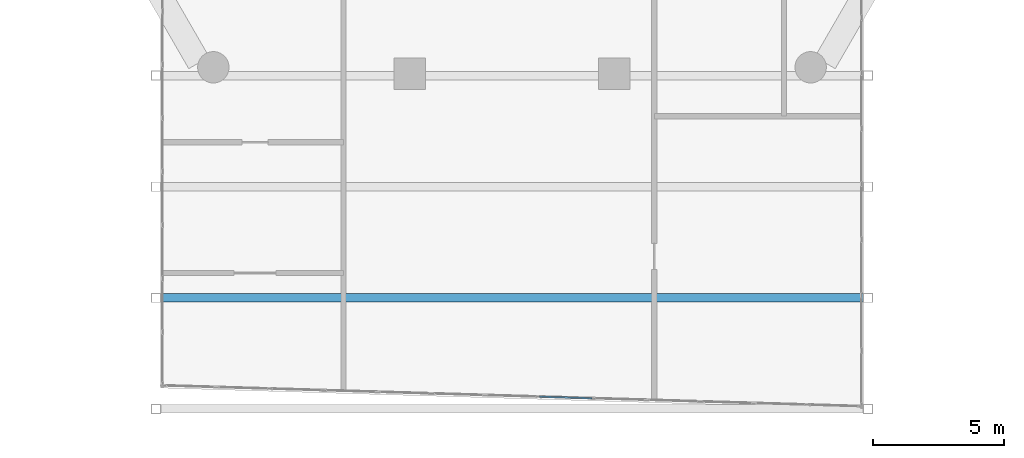
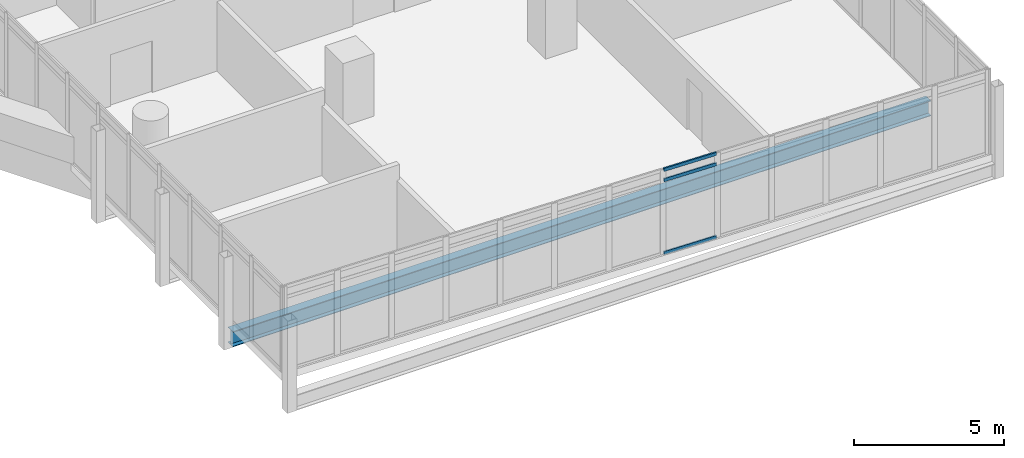
# One storey, part 6 of 28: 3 members, 1 beam, 1 element without a shape of its own.
"""IFC4 building model written with IfcOpenShell, lengths in metres."""

from ifc_helpers import new_model, si_unit, direction, frame, origin, origin_2d, place, context, subcontext, project, spatial, hollow_rectangle, i_section, extrude, material, material_profile, profile_set, type_object, element, aggregate, save


model = new_model("IFC4")

# Units and contexts
model_context = context("Model", 3, precision=1e-05, world=origin(), true_north=direction((0.0, 1.0)))
body_context = subcontext(model_context, "Body", "Model", "MODEL_VIEW")
ifc_project = project(units=[si_unit("LENGTHUNIT", "METRE"), si_unit("AREAUNIT", "SQUARE_METRE"), si_unit("VOLUMEUNIT", "CUBIC_METRE"), si_unit("PLANEANGLEUNIT", "RADIAN"), si_unit("MASSUNIT", "GRAM", prefix="KILO")], contexts=[model_context])

# Site, building, storey
site_placement = place(None, origin())
site = spatial("IfcSite", under=ifc_project, at=site_placement, CompositionType="ELEMENT")
building_placement = place(site_placement, origin())
building = spatial("IfcBuilding", under=site, at=building_placement, Name="Ostrander Bayou Hotel Tower", CompositionType="ELEMENT")
storey_placement = place(building_placement, frame((0.0, 0.0, 100.5)))
storey = spatial("IfcBuildingStorey", under=building, at=storey_placement, Name="L25", CompositionType="ELEMENT", Elevation=100.5)

# Curtain wall, members
ifc_material_1 = material(Name="Aluminium and clear glass", Category="aluminium")
curtain_wall_type = type_object("IfcCurtainWallType", Name="CW-BAR glazed wall", PredefinedType="NOTDEFINED", material=ifc_material_1)
curtain_wall_placement = place(storey_placement, origin())
curtain_wall = element("IfcCurtainWall", 1, at=curtain_wall_placement, inside=storey, type_object=curtain_wall_type, Name="CW-BAR L25:SB2S:T", PredefinedType="NOTDEFINED")
ifc_material_2 = material(Name="Aluminium", Category="aluminium")
ifc_material_profile_1 = material_profile(ifc_material_2, hollow_rectangle(XDim=0.06005859375, YDim=0.1298828125, WallThickness=0.00390625, at=origin_2d()))
ifc_profile_set_1 = profile_set([ifc_material_profile_1], Name="Aluminium")
member_type = type_object("IfcMemberType", Name="CW-BR transom 60 x 130 mm", PredefinedType="USERDEFINED", material=ifc_profile_set_1)
member_1_placement = place(storey_placement, frame((1.058349609375, -31.7314453125, 0.030029296875), z_axis=(0.999555090424, -0.029826518535, 0.0), x_axis=(0.029826518535, 0.999555090424, 0.0)))
member_1 = element("IfcMember", 2, at=member_1_placement, type_object=member_type, Name="CW-BAR transom 8.1", ObjectType="TRANSOM", PredefinedType="USERDEFINED", context=body_context, shape_type="SweptSolid", body=[
    extrude(hollow_rectangle(XDim=0.06005859375, YDim=0.1298828125, WallThickness=0.00390625, at=origin_2d()), origin(), (0.0, 0.0, 1.0), 1.997314453125),
])
member_2_placement = place(storey_placement, frame((1.058349609375, -31.7314453125, 3.0), z_axis=(0.999555090424, -0.029826518535, 0.0), x_axis=(0.029826518535, 0.999555090424, 0.0)))
member_2 = element("IfcMember", 3, at=member_2_placement, type_object=member_type, Name="CW-BAR transom 8.2", ObjectType="TRANSOM", PredefinedType="USERDEFINED", context=body_context, shape_type="SweptSolid", body=[
    extrude(hollow_rectangle(XDim=0.06005859375, YDim=0.1298828125, WallThickness=0.00390625, at=origin_2d()), origin(), (0.0, 0.0, 1.0), 1.997314453125),
])
member_3_placement = place(storey_placement, frame((1.058349609375, -31.7314453125, 3.419921875), z_axis=(0.999555090424, -0.029826518535, 0.0), x_axis=(0.029826518535, 0.999555090424, 0.0)))
member_3 = element("IfcMember", 4, at=member_3_placement, type_object=member_type, Name="CW-BAR transom 8.3", ObjectType="TRANSOM", PredefinedType="USERDEFINED", context=body_context, shape_type="SweptSolid", body=[
    extrude(hollow_rectangle(XDim=0.06005859375, YDim=0.1298828125, WallThickness=0.00390625, at=origin_2d()), origin(), (0.0, 0.0, 1.0), 1.997314453125),
])
aggregate(curtain_wall, [member_1, member_2, member_3])

# Beam
ifc_material_3 = material(Name="Steel ASTM A992", Category="steel")
ifc_material_profile_2 = material_profile(ifc_material_3, i_section(OverallWidth=0.32763671875, OverallDepth=0.621826171875, WebThickness=0.015380859375, FlangeThickness=0.0244140625, at=origin_2d()))
ifc_profile_set_2 = profile_set([ifc_material_profile_2], Name="Steel ASTM A992")
beam_type = type_object("IfcBeamType", Name="TF1 bar floor beam W24x131", PredefinedType="BEAM", material=ifc_profile_set_2)
beam_placement = place(storey_placement, frame((-13.442138671875, -27.9501953125, -0.61083984375), z_axis=(1.0, 0.0, 0.0), x_axis=(0.0, 1.0, 0.0)))
element("IfcBeam", 5, at=beam_placement, inside=storey, type_object=beam_type, Name="TF1 SB2S L3-3", PredefinedType="BEAM", context=body_context, shape_type="SweptSolid", body=[
    extrude(i_section(OverallWidth=0.32763671875, OverallDepth=0.621826171875, WebThickness=0.015380859375, FlangeThickness=0.0244140625, at=origin_2d()), origin(), (0.0, 0.0, 1.0), 26.88427734375),
])

save(model, "model.ifc")
